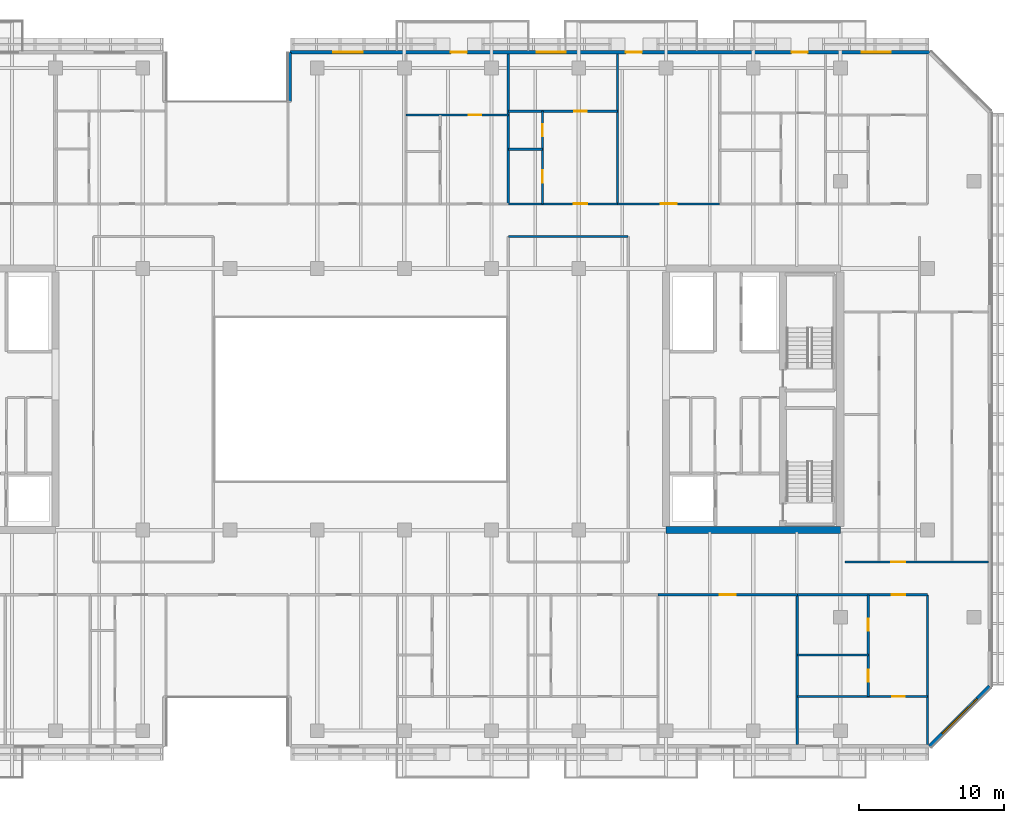
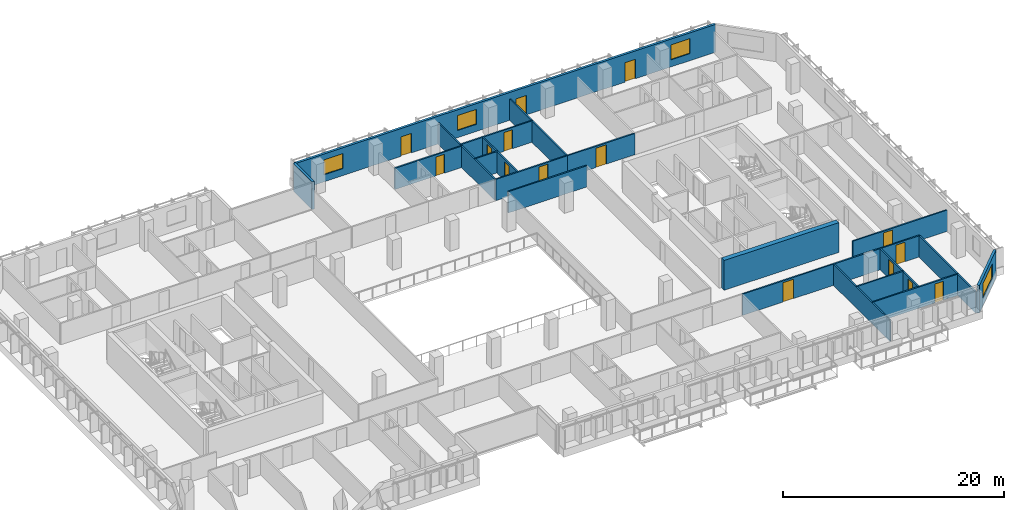
# One storey, part 14 of 23: 21 walls, 15 doors, 4 windows, 19 openings.
"""IFC4 building model written with IfcOpenShell, lengths in metres."""

from ifc_helpers import new_model, si_unit, direction, frame, frame_2d, origin, place, context, subcontext, project, spatial, rectangle, extrude, material, layer, layer_set, type_object, element, fill, save


model = new_model("IFC4")

# Units and contexts
model_context = context("Model", 3, precision=1e-05, world=origin(), true_north=direction((0.0, 1.0)))
body_context = subcontext(model_context, "Body", "Model", "MODEL_VIEW")
ifc_project = project(units=[si_unit("LENGTHUNIT", "METRE"), si_unit("AREAUNIT", "SQUARE_METRE"), si_unit("VOLUMEUNIT", "CUBIC_METRE"), si_unit("PLANEANGLEUNIT", "RADIAN"), si_unit("MASSUNIT", "GRAM", prefix="KILO")], contexts=[model_context])

# Site, building, storey
site_placement = place(None, origin())
site = spatial("IfcSite", under=ifc_project, at=site_placement, CompositionType="ELEMENT")
building_placement = place(site_placement, origin())
building = spatial("IfcBuilding", under=site, at=building_placement, Name="Tanjung Sevakor Pilgrim Tower", CompositionType="ELEMENT")
storey_placement = place(building_placement, frame((0.0, 0.0, 105.27001953125)))
storey = spatial("IfcBuildingStorey", under=building, at=storey_placement, Name="L29", CompositionType="ELEMENT", Elevation=105.27001953125)

# Walls
ifc_material_1 = material(Name="Concrete C60/75", Category="concrete")
ifc_layer_1 = layer(ifc_material_1, 0.5)
ifc_layer_set_1 = layer_set([ifc_layer_1], Name="WALL-CW-500")
wall_type_1 = type_object("IfcWallType", Name="WALL-CW-500", PredefinedType="SHEAR", material=ifc_layer_set_1)
wall_1_placement = place(storey_placement, frame((78.0, 24.60009765625, 0.0), z_axis=(0.0, 0.0, 1.0), x_axis=(1.0, 0.0, 0.0)))
element("IfcWall", 1, at=wall_1_placement, inside=storey, type_object=wall_type_1, Name="L29 E Core South Shear Wall", PredefinedType="SHEAR", context=body_context, shape_type="SweptSolid", body=[
    extrude(rectangle(XDim=12.0, YDim=0.5, at=frame_2d((6.0, 0.0))), origin(), (0.0, 0.0, 1.0), 3.300048828125),
])
ifc_material_2 = material(Name="Concrete C40/50", Category="concrete")
ifc_layer_2 = layer(ifc_material_2, 0.14990234375)
ifc_layer_set_2 = layer_set([ifc_layer_2], Name="WT-COMP-150")
wall_type_2 = type_object("IfcWallType", Name="WT-COMP-150", PredefinedType="SOLIDWALL", material=ifc_layer_set_2)
wall_2_placement = place(storey_placement, frame((67.14990234375, 44.800048828125, 0.0), z_axis=(0.0, 0.0, 1.0), x_axis=(1.0, 0.0, 0.0)))
element("IfcWall", 2, at=wall_2_placement, inside=storey, type_object=wall_type_2, Name="L29 Partition IW-L29-034", PredefinedType="SOLIDWALL", context=body_context, shape_type="SweptSolid", body=[
    extrude(rectangle(XDim=8.25, YDim=0.14990234375, at=frame_2d((4.125, 0.0))), origin(), (0.0, 0.0, 1.0), 2.35009765625),
])

# Wall, opening, door
wall_3_placement = place(storey_placement, frame((90.320068359375, 22.39990234375, 0.0), z_axis=(0.0, 0.0, 1.0), x_axis=(1.0, 0.0, 0.0)))
wall_3 = element("IfcWall", 3, at=wall_3_placement, inside=storey, type_object=wall_type_2, Name="L29 Partition IW-L29-044", PredefinedType="SOLIDWALL", context=body_context, shape_type="SweptSolid", body=[
    extrude(rectangle(XDim=9.869873046875, YDim=0.14990234375, at=frame_2d((4.93505859375, 0.0))), origin(), (0.0, 0.0, 1.0), 2.35009765625),
])
opening_1_placement = place(wall_3_placement, frame((3.193359375, 0.0, 0.0)))
opening_1 = element("IfcOpeningElement", 4, at=opening_1_placement, cuts=wall_3, Name="Opening ID-FD2", PredefinedType="OPENING", context=body_context, shape_type="SweptSolid", body=[
    extrude(rectangle(XDim=0.949951171875, YDim=2.14990234375, at=frame_2d((0.47509765625, 1.074951171875))), frame((0.0, 0.0849609375, 0.0), z_axis=(0.0, -1.0, 0.0), x_axis=(1.0, 0.0, 0.0)), (0.0, 0.0, 1.0), 0.169921875),
])
ifc_material_3 = material(Name="Fire-Rated Timber", Category="wood")
door_type_1 = type_object("IfcDoorType", Name="DT-FIRE-950", OperationType="NOTDEFINED", PredefinedType="DOOR", material=ifc_material_3)
door_1_placement = place(opening_1_placement, origin())
door_1 = element("IfcDoor", 5, at=door_1_placement, inside=storey, type_object=door_type_1, Name="Suite Entrance", OperationType="SINGLE_SWING_RIGHT", OverallHeight=2.14990234375, OverallWidth=0.949951171875, PredefinedType="DOOR", context=body_context, shape_type="SweptSolid", body=[
    extrude(rectangle(XDim=0.949951171875, YDim=2.14990234375, at=frame_2d((0.47509765625, 1.074951171875))), frame((0.0, 0.02490234375, 0.0), z_axis=(0.0, -1.0, 0.0), x_axis=(1.0, 0.0, 0.0)), (0.0, 0.0, 1.0), 0.050048828125),
])
fill(opening_1, door_1)

# Walls
for number, where, z_axis, x_axis, name in (
    (6, (96.0, 9.85009765625, 0.0), (0.0, 0.0, 1.0), (0.0, 1.0, 0.0), "L29 Partition IW-L29-061"),
    (7, (87.03857421875, 9.85009765625, 0.0), (0.0, 0.0, 1.0), (0.0, 1.0, 0.0), "L29 Partition IW-L29-074"),
):
    element("IfcWall", number, at=place(storey_placement, frame(where, z_axis=z_axis, x_axis=x_axis)), inside=storey, type_object=wall_type_2, Name=name, PredefinedType="SOLIDWALL", context=body_context, shape_type="SweptSolid", body=[
        extrude(rectangle(XDim=10.2998046875, YDim=0.14990234375, at=frame_2d((5.14990234375, 0.0))), origin(), (0.0, 0.0, 1.0), 2.35009765625),
    ])

# Wall, opening, door
wall_4_placement = place(storey_placement, frame((77.458984375, 20.14990234375, 0.0), z_axis=(0.0, 0.0, 1.0), x_axis=(1.0, 0.0, 0.0)))
wall_4 = element("IfcWall", 8, at=wall_4_placement, inside=storey, type_object=wall_type_2, Name="L29 Partition IW-L29-075", PredefinedType="SOLIDWALL", context=body_context, shape_type="SweptSolid", body=[
    extrude(rectangle(XDim=9.57958984375, YDim=0.14990234375, at=frame_2d((4.789794921875, 0.0))), origin(), (0.0, 0.0, 1.0), 2.35009765625),
])
opening_2_placement = place(wall_4_placement, frame((4.23974609375, 0.0, 0.0)))
opening_2 = element("IfcOpeningElement", 9, at=opening_2_placement, cuts=wall_4, Name="Opening ID-FD0", PredefinedType="OPENING", context=body_context, shape_type="SweptSolid", body=[
    extrude(rectangle(XDim=1.10009765625, YDim=2.14990234375, at=frame_2d((0.550048828125, 1.074951171875))), frame((0.0, 0.0849609375, 0.0), z_axis=(0.0, -1.0, 0.0), x_axis=(1.0, 0.0, 0.0)), (0.0, 0.0, 1.0), 0.169921875),
])
ifc_material_4 = material(Name="Fire-Rated Steel S355J2", Category="steel")
door_type_2 = type_object("IfcDoorType", Name="DT-FIRE-1100", OperationType="NOTDEFINED", PredefinedType="DOOR", material=ifc_material_4)
door_2_placement = place(opening_2_placement, origin())
door_2 = element("IfcDoor", 10, at=door_2_placement, inside=storey, type_object=door_type_2, Name="Council Room Door", OperationType="SINGLE_SWING_RIGHT", OverallHeight=2.14990234375, OverallWidth=1.10009765625, PredefinedType="DOOR", context=body_context, shape_type="SweptSolid", body=[
    extrude(rectangle(XDim=1.10009765625, YDim=2.14990234375, at=frame_2d((0.550048828125, 1.074951171875))), frame((0.0, 0.02490234375, 0.0), z_axis=(0.0, -1.0, 0.0), x_axis=(1.0, 0.0, 0.0)), (0.0, 0.0, 1.0), 0.050048828125),
])
fill(opening_2, door_2)

wall_5_placement = place(storey_placement, frame((87.03857421875, 20.14990234375, 0.0), z_axis=(0.0, 0.0, 1.0), x_axis=(1.0, 0.0, 0.0)))
wall_5 = element("IfcWall", 11, at=wall_5_placement, inside=storey, type_object=wall_type_2, Name="L29 Partition IW-L29-079", PredefinedType="SOLIDWALL", context=body_context, shape_type="SweptSolid", body=[
    extrude(rectangle(XDim=8.96142578125, YDim=0.14990234375, at=frame_2d((4.480712890625, 0.0))), origin(), (0.0, 0.0, 1.0), 2.35009765625),
])
opening_3_placement = place(wall_5_placement, frame((6.486572265625, 0.0, 0.0)))
opening_3 = element("IfcOpeningElement", 12, at=opening_3_placement, cuts=wall_5, Name="Opening ID-FD2", PredefinedType="OPENING", context=body_context, shape_type="SweptSolid", body=[
    extrude(rectangle(XDim=0.949951171875, YDim=2.14990234375, at=frame_2d((0.47509765625, 1.074951171875))), frame((0.0, 0.0849609375, 0.0), z_axis=(0.0, -1.0, 0.0), x_axis=(1.0, 0.0, 0.0)), (0.0, 0.0, 1.0), 0.169921875),
])
door_3_placement = place(opening_3_placement, origin())
door_3 = element("IfcDoor", 13, at=door_3_placement, inside=storey, type_object=door_type_1, Name="Residence Entrance", OperationType="SINGLE_SWING_RIGHT", OverallHeight=2.14990234375, OverallWidth=0.949951171875, PredefinedType="DOOR", context=body_context, shape_type="SweptSolid", body=[
    extrude(rectangle(XDim=0.949951171875, YDim=2.14990234375, at=frame_2d((0.47509765625, 1.074951171875))), frame((0.0, 0.02490234375, 0.0), z_axis=(0.0, -1.0, 0.0), x_axis=(1.0, 0.0, 0.0)), (0.0, 0.0, 1.0), 0.050048828125),
])
fill(opening_3, door_3)

# Walls
for number, where, z_axis, x_axis, name in (
    (14, (67.150634765625, 47.050048828125, 0.0), (0.0, 0.0, 1.0), (0.0, 1.0, 0.0), "L29 Partition IW-L29-095"),
    (15, (74.666015625, 47.050048828125, 0.0), (0.0, 0.0, 1.0), (0.0, 1.0, 0.0), "L29 Partition IW-L29-100"),
):
    element("IfcWall", number, at=place(storey_placement, frame(where, z_axis=z_axis, x_axis=x_axis)), inside=storey, type_object=wall_type_2, Name=name, PredefinedType="SOLIDWALL", context=body_context, shape_type="SweptSolid", body=[
        extrude(rectangle(XDim=10.300048828125, YDim=0.14990234375, at=frame_2d((5.14990234375, 0.0))), origin(), (0.0, 0.0, 1.0), 2.35009765625),
    ])

# Wall, opening, door
wall_6_placement = place(storey_placement, frame((67.150634765625, 47.050048828125, 0.0), z_axis=(0.0, 0.0, 1.0), x_axis=(1.0, 0.0, 0.0)))
wall_6 = element("IfcWall", 16, at=wall_6_placement, inside=storey, type_object=wall_type_2, Name="L29 Partition IW-L29-104", PredefinedType="SOLIDWALL", context=body_context, shape_type="SweptSolid", body=[
    extrude(rectangle(XDim=7.515380859375, YDim=0.14990234375, at=frame_2d((3.7578125, 0.0))), origin(), (0.0, 0.0, 1.0), 2.35009765625),
])
opening_4_placement = place(wall_6_placement, frame((4.497802734375, 0.0, 0.0)))
opening_4 = element("IfcOpeningElement", 17, at=opening_4_placement, cuts=wall_6, Name="Opening ID-FD2", PredefinedType="OPENING", context=body_context, shape_type="SweptSolid", body=[
    extrude(rectangle(XDim=0.949951171875, YDim=2.14990234375, at=frame_2d((0.47509765625, 1.074951171875))), frame((0.0, 0.0849609375, 0.0), z_axis=(0.0, -1.0, 0.0), x_axis=(1.0, 0.0, 0.0)), (0.0, 0.0, 1.0), 0.169921875),
])
door_4_placement = place(opening_4_placement, origin())
door_4 = element("IfcDoor", 18, at=door_4_placement, inside=storey, type_object=door_type_1, Name="Residence Entrance", OperationType="SINGLE_SWING_RIGHT", OverallHeight=2.14990234375, OverallWidth=0.949951171875, PredefinedType="DOOR", context=body_context, shape_type="SweptSolid", body=[
    extrude(rectangle(XDim=0.949951171875, YDim=2.14990234375, at=frame_2d((0.47509765625, 1.074951171875))), frame((0.0, 0.02490234375, 0.0), z_axis=(0.0, -1.0, 0.0), x_axis=(1.0, 0.0, 0.0)), (0.0, 0.0, 1.0), 0.050048828125),
])
fill(opening_4, door_4)

wall_7_placement = place(storey_placement, frame((74.666015625, 47.050048828125, 0.0), z_axis=(0.0, 0.0, 1.0), x_axis=(1.0, 0.0, 0.0)))
wall_7 = element("IfcWall", 19, at=wall_7_placement, inside=storey, type_object=wall_type_2, Name="L29 Partition IW-L29-106", PredefinedType="SOLIDWALL", context=body_context, shape_type="SweptSolid", body=[
    extrude(rectangle(XDim=7.030517578125, YDim=0.14990234375, at=frame_2d((3.51513671875, 0.0))), origin(), (0.0, 0.0, 1.0), 2.35009765625),
])
opening_5_placement = place(wall_7_placement, frame((2.96533203125, 0.0, 0.0)))
opening_5 = element("IfcOpeningElement", 20, at=opening_5_placement, cuts=wall_7, Name="Opening ID-FD0", PredefinedType="OPENING", context=body_context, shape_type="SweptSolid", body=[
    extrude(rectangle(XDim=1.10009765625, YDim=2.14990234375, at=frame_2d((0.550048828125, 1.074951171875))), frame((0.0, 0.0849609375, 0.0), z_axis=(0.0, -1.0, 0.0), x_axis=(1.0, 0.0, 0.0)), (0.0, 0.0, 1.0), 0.169921875),
])
door_5_placement = place(opening_5_placement, origin())
door_5 = element("IfcDoor", 21, at=door_5_placement, inside=storey, type_object=door_type_2, Name="Communal Lounge Door", OperationType="SINGLE_SWING_LEFT", OverallHeight=2.14990234375, OverallWidth=1.10009765625, PredefinedType="DOOR", context=body_context, shape_type="SweptSolid", body=[
    extrude(rectangle(XDim=1.10009765625, YDim=2.14990234375, at=frame_2d((0.550048828125, 1.074951171875))), frame((0.0, 0.02490234375, 0.0), z_axis=(0.0, -1.0, 0.0), x_axis=(1.0, 0.0, 0.0)), (0.0, 0.0, 1.0), 0.050048828125),
])
fill(opening_5, door_5)

# Wall, opening, window
ifc_material_5 = material(Name="Precast concrete C45/55", Category="concrete")
ifc_layer_3 = layer(ifc_material_5, 0.25)
ifc_layer_set_3 = layer_set([ifc_layer_3], Name="WT-EW-STN3")
wall_type_3 = type_object("IfcWallType", Name="WT-EW-STN3", PredefinedType="SOLIDWALL", material=ifc_layer_set_3)
wall_8_placement = place(storey_placement, frame((96.148193359375, 9.72509765625, 0.0), z_axis=(0.0, 0.0, 1.0), x_axis=(0.707106781187, 0.707106781187, 0.0)))
wall_8 = element("IfcWall", 22, at=wall_8_placement, inside=storey, type_object=wall_type_3, Name="L29 MAIN Sculpted Corner Wall 5", PredefinedType="SOLIDWALL", context=body_context, shape_type="SweptSolid", body=[
    extrude(rectangle(XDim=5.8359375, YDim=0.25, at=frame_2d((2.91796875, 0.0))), origin(), (0.0, 0.0, 1.0), 3.080078125),
])
opening_6_placement = place(wall_8_placement, frame((1.218017578125, 0.0, 0.780029296875)))
opening_6 = element("IfcOpeningElement", 23, at=opening_6_placement, cuts=wall_8, Name="Opening WN-CHM-1660", PredefinedType="OPENING", context=body_context, shape_type="SweptSolid", body=[
    extrude(rectangle(XDim=3.39990234375, YDim=1.659912109375, at=frame_2d((1.699951171875, 0.830078125))), frame((0.0, 0.135009765625, 0.0), z_axis=(0.0, -1.0, 0.0), x_axis=(1.0, 0.0, 0.0)), (0.0, 0.0, 1.0), 0.27001953125),
])
ifc_material_6 = material(Name="Thermally Broken Aluminium and Low-E Glass", Category="aluminium")
window_type_1 = type_object("IfcWindowType", Name="WTYP-WN-CHM-1660", PartitioningType="DOUBLE_PANEL_VERTICAL", PredefinedType="WINDOW", material=ifc_material_6)
window_1_placement = place(opening_6_placement, origin())
window_1 = element("IfcWindow", 24, at=window_1_placement, inside=storey, type_object=window_type_1, Name="L29 Facade Window 01", OverallHeight=1.659912109375, OverallWidth=3.39990234375, PartitioningType="SINGLE_PANEL", PredefinedType="WINDOW", context=body_context, shape_type="SweptSolid", body=[
    extrude(rectangle(XDim=3.39990234375, YDim=1.659912109375, at=frame_2d((1.699951171875, 0.830078125))), frame((0.0, 0.030029296875, 0.0), z_axis=(0.0, -1.0, 0.0), x_axis=(1.0, 0.0, 0.0)), (0.0, 0.0, 1.0), 0.06005859375),
])
fill(opening_6, window_1)

# Wall, openings, doors, windows
wall_9_placement = place(storey_placement, frame((96.148193359375, 57.47509765625, 0.0), z_axis=(0.0, 0.0, 1.0), x_axis=(-1.0, 0.0, 0.0)))
wall_9 = element("IfcWall", 25, at=wall_9_placement, inside=storey, type_object=wall_type_3, Name="L29 MAIN Exterior Wall 9", PredefinedType="SOLIDWALL", context=body_context, shape_type="SweptSolid", body=[
    extrude(rectangle(XDim=44.023193359375, YDim=0.25, at=frame_2d((22.01171875, 0.0))), origin(), (0.0, 0.0, 1.0), 3.080078125),
])
opening_7_placement = place(wall_9_placement, frame((31.84814453125, 0.0, 0.0)))
opening_7 = element("IfcOpeningElement", 26, at=opening_7_placement, cuts=wall_9, Name="Opening ED-BAL-1100", PredefinedType="OPENING", context=body_context, shape_type="SweptSolid", body=[
    extrude(rectangle(XDim=1.10009765625, YDim=2.14990234375, at=frame_2d((0.550048828125, 1.074951171875))), frame((0.0, 0.135009765625, 0.0), z_axis=(0.0, -1.0, 0.0), x_axis=(1.0, 0.0, 0.0)), (0.0, 0.0, 1.0), 0.27001953125),
])
opening_8_placement = place(wall_9_placement, frame((19.798095703125, 0.0, 0.0)))
opening_8 = element("IfcOpeningElement", 27, at=opening_8_placement, cuts=wall_9, Name="Opening ED-BAL-1100", PredefinedType="OPENING", context=body_context, shape_type="SweptSolid", body=[
    extrude(rectangle(XDim=1.10009765625, YDim=2.14990234375, at=frame_2d((0.550048828125, 1.074951171875))), frame((0.0, 0.135009765625, 0.0), z_axis=(0.0, -1.0, 0.0), x_axis=(1.0, 0.0, 0.0)), (0.0, 0.0, 1.0), 0.27001953125),
])
opening_9_placement = place(wall_9_placement, frame((8.398193359375, 0.0, 0.0)))
opening_9 = element("IfcOpeningElement", 28, at=opening_9_placement, cuts=wall_9, Name="Opening ED-BAL-1100", PredefinedType="OPENING", context=body_context, shape_type="SweptSolid", body=[
    extrude(rectangle(XDim=1.10009765625, YDim=2.14990234375, at=frame_2d((0.550048828125, 1.074951171875))), frame((0.0, 0.135009765625, 0.0), z_axis=(0.0, -1.0, 0.0), x_axis=(1.0, 0.0, 0.0)), (0.0, 0.0, 1.0), 0.27001953125),
])
opening_10_placement = place(wall_9_placement, frame((39.028076171875, 0.0, 0.780029296875)))
opening_10 = element("IfcOpeningElement", 29, at=opening_10_placement, cuts=wall_9, Name="Opening WN-Z2-1660", PredefinedType="OPENING", context=body_context, shape_type="SweptSolid", body=[
    extrude(rectangle(XDim=2.0, YDim=1.659912109375, at=frame_2d((1.0, 0.830078125))), frame((0.0, 0.135009765625, 0.0), z_axis=(0.0, -1.0, 0.0), x_axis=(1.0, 0.0, 0.0)), (0.0, 0.0, 1.0), 0.27001953125),
])
opening_11_placement = place(wall_9_placement, frame((25.039794921875, 0.0, 0.780029296875)))
opening_11 = element("IfcOpeningElement", 30, at=opening_11_placement, cuts=wall_9, Name="Opening WN-Z2-1660", PredefinedType="OPENING", context=body_context, shape_type="SweptSolid", body=[
    extrude(rectangle(XDim=2.0, YDim=1.659912109375, at=frame_2d((1.0, 0.830078125))), frame((0.0, 0.135009765625, 0.0), z_axis=(0.0, -1.0, 0.0), x_axis=(1.0, 0.0, 0.0)), (0.0, 0.0, 1.0), 0.27001953125),
])
opening_12_placement = place(wall_9_placement, frame((2.66357421875, 0.0, 0.780029296875)))
opening_12 = element("IfcOpeningElement", 31, at=opening_12_placement, cuts=wall_9, Name="Opening WN-Z2-1660", PredefinedType="OPENING", context=body_context, shape_type="SweptSolid", body=[
    extrude(rectangle(XDim=2.0, YDim=1.659912109375, at=frame_2d((1.0, 0.830078125))), frame((0.0, 0.135009765625, 0.0), z_axis=(0.0, -1.0, 0.0), x_axis=(1.0, 0.0, 0.0)), (0.0, 0.0, 1.0), 0.27001953125),
])
ifc_material_7 = material(Name="Anodised Aluminium and Laminated Glass", Category="aluminium")
door_type_3 = type_object("IfcDoorType", Name="DTYP-ED-BAL-1100", OperationType="NOTDEFINED", PredefinedType="DOOR", material=ifc_material_7)
door_6_placement = place(opening_7_placement, frame((1.10009765625, 0.0, 0.0), z_axis=(0.0, 0.0, 1.0), x_axis=(-1.0, 0.0, 0.0)))
door_6 = element("IfcDoor", 32, at=door_6_placement, inside=storey, type_object=door_type_3, Name="L29 Balcony Door MAIN-N2", OperationType="SINGLE_SWING_RIGHT", OverallHeight=2.14990234375, OverallWidth=1.10009765625, PredefinedType="DOOR", context=body_context, shape_type="SweptSolid", body=[
    extrude(rectangle(XDim=1.10009765625, YDim=2.14990234375, at=frame_2d((0.550048828125, 1.074951171875))), frame((0.0, 0.02490234375, 0.0), z_axis=(0.0, -1.0, 0.0), x_axis=(1.0, 0.0, 0.0)), (0.0, 0.0, 1.0), 0.050048828125),
])
fill(opening_7, door_6)
door_7_placement = place(opening_8_placement, frame((1.10009765625, 0.0, 0.0), z_axis=(0.0, 0.0, 1.0), x_axis=(-1.0, 0.0, 0.0)))
door_7 = element("IfcDoor", 33, at=door_7_placement, inside=storey, type_object=door_type_3, Name="L29 Balcony Door MAIN-N3", OperationType="SINGLE_SWING_LEFT", OverallHeight=2.14990234375, OverallWidth=1.10009765625, PredefinedType="DOOR", context=body_context, shape_type="SweptSolid", body=[
    extrude(rectangle(XDim=1.10009765625, YDim=2.14990234375, at=frame_2d((0.550048828125, 1.074951171875))), frame((0.0, 0.02490234375, 0.0), z_axis=(0.0, -1.0, 0.0), x_axis=(1.0, 0.0, 0.0)), (0.0, 0.0, 1.0), 0.050048828125),
])
fill(opening_8, door_7)
door_8_placement = place(opening_9_placement, frame((1.10009765625, 0.0, 0.0), z_axis=(0.0, 0.0, 1.0), x_axis=(-1.0, 0.0, 0.0)))
door_8 = element("IfcDoor", 34, at=door_8_placement, inside=storey, type_object=door_type_3, Name="L29 Balcony Door MAIN-N4", OperationType="SINGLE_SWING_RIGHT", OverallHeight=2.14990234375, OverallWidth=1.10009765625, PredefinedType="DOOR", context=body_context, shape_type="SweptSolid", body=[
    extrude(rectangle(XDim=1.10009765625, YDim=2.14990234375, at=frame_2d((0.550048828125, 1.074951171875))), frame((0.0, 0.02490234375, 0.0), z_axis=(0.0, -1.0, 0.0), x_axis=(1.0, 0.0, 0.0)), (0.0, 0.0, 1.0), 0.050048828125),
])
fill(opening_9, door_8)
ifc_material_8 = material(Name="Thermally Broken Aluminium and Low-E Glass", Category="aluminium")
window_type_2 = type_object("IfcWindowType", Name="WTYP-WN-Z2-1660", PartitioningType="DOUBLE_PANEL_VERTICAL", PredefinedType="WINDOW", material=ifc_material_8)
window_2_placement = place(opening_10_placement, origin())
window_2 = element("IfcWindow", 35, at=window_2_placement, inside=storey, type_object=window_type_2, Name="L29 Facade Window 01", OverallHeight=1.659912109375, OverallWidth=2.0, PartitioningType="SINGLE_PANEL", PredefinedType="WINDOW", context=body_context, shape_type="SweptSolid", body=[
    extrude(rectangle(XDim=2.0, YDim=1.659912109375, at=frame_2d((1.0, 0.830078125))), frame((0.0, 0.030029296875, 0.0), z_axis=(0.0, -1.0, 0.0), x_axis=(1.0, 0.0, 0.0)), (0.0, 0.0, 1.0), 0.06005859375),
])
fill(opening_10, window_2)
window_3_placement = place(opening_11_placement, origin())
window_3 = element("IfcWindow", 36, at=window_3_placement, inside=storey, type_object=window_type_2, Name="L29 Facade Window 02", OverallHeight=1.659912109375, OverallWidth=2.0, PartitioningType="SINGLE_PANEL", PredefinedType="WINDOW", context=body_context, shape_type="SweptSolid", body=[
    extrude(rectangle(XDim=2.0, YDim=1.659912109375, at=frame_2d((1.0, 0.830078125))), frame((0.0, 0.030029296875, 0.0), z_axis=(0.0, -1.0, 0.0), x_axis=(1.0, 0.0, 0.0)), (0.0, 0.0, 1.0), 0.06005859375),
])
fill(opening_11, window_3)
window_4_placement = place(opening_12_placement, origin())
window_4 = element("IfcWindow", 37, at=window_4_placement, inside=storey, type_object=window_type_2, Name="L29 Facade Window 03", OverallHeight=1.659912109375, OverallWidth=2.0, PartitioningType="SINGLE_PANEL", PredefinedType="WINDOW", context=body_context, shape_type="SweptSolid", body=[
    extrude(rectangle(XDim=2.0, YDim=1.659912109375, at=frame_2d((1.0, 0.830078125))), frame((0.0, 0.030029296875, 0.0), z_axis=(0.0, -1.0, 0.0), x_axis=(1.0, 0.0, 0.0)), (0.0, 0.0, 1.0), 0.06005859375),
])
fill(opening_12, window_4)

# Walls
wall_10_placement = place(storey_placement, frame((52.125, 57.47509765625, 0.0), z_axis=(0.0, 0.0, 1.0), x_axis=(0.0, -1.0, 0.0)))
element("IfcWall", 38, at=wall_10_placement, inside=storey, type_object=wall_type_3, Name="L29 MAIN Exterior Wall 10", PredefinedType="SOLIDWALL", context=body_context, shape_type="SweptSolid", body=[
    extrude(rectangle(XDim=3.400146484375, YDim=0.25, at=frame_2d((1.7001953125, 0.0))), origin(), (0.0, 0.0, 1.0), 3.080078125),
])
ifc_material_9 = material(Name="Gypsum Board Partition", Category="gypsum board")
ifc_layer_4 = layer(ifc_material_9, 0.14990234375)
ifc_layer_set_4 = layer_set([ifc_layer_4], Name="WT-PART-150")
wall_type_4 = type_object("IfcWallType", Name="WT-PART-150", PredefinedType="PARTITIONING", material=ifc_layer_set_4)
wall_11_placement = place(storey_placement, frame((87.03857421875, 16.01513671875, 0.0), z_axis=(0.0, 0.0, 1.0), x_axis=(1.0, 0.0, 0.0)))
element("IfcWall", 39, at=wall_11_placement, inside=storey, type_object=wall_type_4, Name="L29 Partition IW-L29-076", PredefinedType="PARTITIONING", context=body_context, shape_type="SweptSolid", body=[
    extrude(rectangle(XDim=4.88134765625, YDim=0.14990234375, at=frame_2d((2.440673828125, 0.0))), origin(), (0.0, 0.0, 1.0), 2.35009765625),
])

# Wall, openings, doors
wall_12_placement = place(storey_placement, frame((91.919921875, 13.141845703125, 0.0), z_axis=(0.0, 0.0, 1.0), x_axis=(0.0, 1.0, 0.0)))
wall_12 = element("IfcWall", 40, at=wall_12_placement, inside=storey, type_object=wall_type_4, Name="L29 Partition IW-L29-077", PredefinedType="PARTITIONING", context=body_context, shape_type="SweptSolid", body=[
    extrude(rectangle(XDim=7.008056640625, YDim=0.14990234375, at=frame_2d((3.50390625, 0.0))), origin(), (0.0, 0.0, 1.0), 2.35009765625),
])
opening_13_placement = place(wall_12_placement, frame((1.01171875, 0.0, 0.0)))
opening_13 = element("IfcOpeningElement", 41, at=opening_13_placement, cuts=wall_12, Name="Opening ID-WC1", PredefinedType="OPENING", context=body_context, shape_type="SweptSolid", body=[
    extrude(rectangle(XDim=0.85009765625, YDim=2.10009765625, at=frame_2d((0.425048828125, 1.050048828125))), frame((0.0, 0.0849609375, 0.0), z_axis=(0.0, -1.0, 0.0), x_axis=(1.0, 0.0, 0.0)), (0.0, 0.0, 1.0), 0.169921875),
])
opening_14_placement = place(wall_12_placement, frame((4.515625, 0.0, 0.0)))
opening_14 = element("IfcOpeningElement", 42, at=opening_14_placement, cuts=wall_12, Name="Opening ID-WC1", PredefinedType="OPENING", context=body_context, shape_type="SweptSolid", body=[
    extrude(rectangle(XDim=0.85009765625, YDim=2.10009765625, at=frame_2d((0.425048828125, 1.050048828125))), frame((0.0, 0.0849609375, 0.0), z_axis=(0.0, -1.0, 0.0), x_axis=(1.0, 0.0, 0.0)), (0.0, 0.0, 1.0), 0.169921875),
])
ifc_material_10 = material(Name="Moisture-Resistant Timber", Category="wood")
door_type_4 = type_object("IfcDoorType", Name="DT-INT-850", OperationType="NOTDEFINED", PredefinedType="DOOR", material=ifc_material_10)
door_9_placement = place(opening_13_placement, origin())
door_9 = element("IfcDoor", 43, at=door_9_placement, inside=storey, type_object=door_type_4, Name="Residence Bathroom Door", OperationType="SINGLE_SWING_LEFT", OverallHeight=2.10009765625, OverallWidth=0.85009765625, PredefinedType="DOOR", context=body_context, shape_type="SweptSolid", body=[
    extrude(rectangle(XDim=0.85009765625, YDim=2.10009765625, at=frame_2d((0.425048828125, 1.050048828125))), frame((0.0, 0.02490234375, 0.0), z_axis=(0.0, -1.0, 0.0), x_axis=(1.0, 0.0, 0.0)), (0.0, 0.0, 1.0), 0.050048828125),
])
fill(opening_13, door_9)
door_10_placement = place(opening_14_placement, origin())
door_10 = element("IfcDoor", 44, at=door_10_placement, inside=storey, type_object=door_type_4, Name="Residence Kitchenette Door", OperationType="SINGLE_SWING_RIGHT", OverallHeight=2.10009765625, OverallWidth=0.85009765625, PredefinedType="DOOR", context=body_context, shape_type="SweptSolid", body=[
    extrude(rectangle(XDim=0.85009765625, YDim=2.10009765625, at=frame_2d((0.425048828125, 1.050048828125))), frame((0.0, 0.02490234375, 0.0), z_axis=(0.0, -1.0, 0.0), x_axis=(1.0, 0.0, 0.0)), (0.0, 0.0, 1.0), 0.050048828125),
])
fill(opening_14, door_10)

# Wall, opening, door
wall_13_placement = place(storey_placement, frame((87.03857421875, 13.141845703125, 0.0), z_axis=(0.0, 0.0, 1.0), x_axis=(1.0, 0.0, 0.0)))
wall_13 = element("IfcWall", 45, at=wall_13_placement, inside=storey, type_object=wall_type_4, Name="L29 Partition IW-L29-078", PredefinedType="PARTITIONING", context=body_context, shape_type="SweptSolid", body=[
    extrude(rectangle(XDim=8.96142578125, YDim=0.14990234375, at=frame_2d((4.480712890625, 0.0))), origin(), (0.0, 0.0, 1.0), 2.35009765625),
])
opening_15_placement = place(wall_13_placement, frame((6.53662109375, 0.0, 0.0)))
opening_15 = element("IfcOpeningElement", 46, at=opening_15_placement, cuts=wall_13, Name="Opening ID-WC1", PredefinedType="OPENING", context=body_context, shape_type="SweptSolid", body=[
    extrude(rectangle(XDim=0.85009765625, YDim=2.10009765625, at=frame_2d((0.425048828125, 1.050048828125))), frame((0.0, 0.0849609375, 0.0), z_axis=(0.0, -1.0, 0.0), x_axis=(1.0, 0.0, 0.0)), (0.0, 0.0, 1.0), 0.169921875),
])
door_11_placement = place(opening_15_placement, origin())
door_11 = element("IfcDoor", 47, at=door_11_placement, inside=storey, type_object=door_type_4, Name="Residence Bedroom Door", OperationType="SINGLE_SWING_LEFT", OverallHeight=2.10009765625, OverallWidth=0.85009765625, PredefinedType="DOOR", context=body_context, shape_type="SweptSolid", body=[
    extrude(rectangle(XDim=0.85009765625, YDim=2.10009765625, at=frame_2d((0.425048828125, 1.050048828125))), frame((0.0, 0.02490234375, 0.0), z_axis=(0.0, -1.0, 0.0), x_axis=(1.0, 0.0, 0.0)), (0.0, 0.0, 1.0), 0.050048828125),
])
fill(opening_15, door_11)

wall_14_placement = place(storey_placement, frame((60.1201171875, 53.154052734375, 0.0), z_axis=(0.0, 0.0, 1.0), x_axis=(1.0, 0.0, 0.0)))
wall_14 = element("IfcWall", 48, at=wall_14_placement, inside=storey, type_object=wall_type_4, Name="L29 Partition IW-L29-098", PredefinedType="PARTITIONING", context=body_context, shape_type="SweptSolid", body=[
    extrude(rectangle(XDim=7.030517578125, YDim=0.14990234375, at=frame_2d((3.51513671875, 0.0))), origin(), (0.0, 0.0, 1.0), 2.35009765625),
])
opening_16_placement = place(wall_14_placement, frame((4.305419921875, 0.0, 0.0)))
opening_16 = element("IfcOpeningElement", 49, at=opening_16_placement, cuts=wall_14, Name="Opening ID-WC1", PredefinedType="OPENING", context=body_context, shape_type="SweptSolid", body=[
    extrude(rectangle(XDim=0.85009765625, YDim=2.10009765625, at=frame_2d((0.425048828125, 1.050048828125))), frame((0.0, 0.0849609375, 0.0), z_axis=(0.0, -1.0, 0.0), x_axis=(1.0, 0.0, 0.0)), (0.0, 0.0, 1.0), 0.169921875),
])
door_12_placement = place(opening_16_placement, origin())
door_12 = element("IfcDoor", 50, at=door_12_placement, inside=storey, type_object=door_type_4, Name="Residence Bedroom Door", OperationType="SINGLE_SWING_LEFT", OverallHeight=2.10009765625, OverallWidth=0.85009765625, PredefinedType="DOOR", context=body_context, shape_type="SweptSolid", body=[
    extrude(rectangle(XDim=0.85009765625, YDim=2.10009765625, at=frame_2d((0.425048828125, 1.050048828125))), frame((0.0, 0.02490234375, 0.0), z_axis=(0.0, -1.0, 0.0), x_axis=(1.0, 0.0, 0.0)), (0.0, 0.0, 1.0), 0.050048828125),
])
fill(opening_16, door_12)

# Wall
wall_15_placement = place(storey_placement, frame((67.150634765625, 50.81103515625, 0.0), z_axis=(0.0, 0.0, 1.0), x_axis=(1.0, 0.0, 0.0)))
element("IfcWall", 51, at=wall_15_placement, inside=storey, type_object=wall_type_4, Name="L29 Partition IW-L29-101", PredefinedType="PARTITIONING", context=body_context, shape_type="SweptSolid", body=[
    extrude(rectangle(XDim=2.35009765625, YDim=0.14990234375, at=frame_2d((1.175048828125, 0.0))), origin(), (0.0, 0.0, 1.0), 2.35009765625),
])

# Wall, openings, doors
wall_16_placement = place(storey_placement, frame((69.500732421875, 47.050048828125, 0.0), z_axis=(0.0, 0.0, 1.0), x_axis=(0.0, 1.0, 0.0)))
wall_16 = element("IfcWall", 52, at=wall_16_placement, inside=storey, type_object=wall_type_4, Name="L29 Partition IW-L29-102", PredefinedType="PARTITIONING", context=body_context, shape_type="SweptSolid", body=[
    extrude(rectangle(XDim=6.374755859375, YDim=0.14990234375, at=frame_2d((3.1875, 0.0))), origin(), (0.0, 0.0, 1.0), 2.35009765625),
])
opening_17_placement = place(wall_16_placement, frame((1.45556640625, 0.0, 0.0)))
opening_17 = element("IfcOpeningElement", 53, at=opening_17_placement, cuts=wall_16, Name="Opening ID-WC1", PredefinedType="OPENING", context=body_context, shape_type="SweptSolid", body=[
    extrude(rectangle(XDim=0.85009765625, YDim=2.10009765625, at=frame_2d((0.425048828125, 1.050048828125))), frame((0.0, 0.0849609375, 0.0), z_axis=(0.0, -1.0, 0.0), x_axis=(1.0, 0.0, 0.0)), (0.0, 0.0, 1.0), 0.169921875),
])
opening_18_placement = place(wall_16_placement, frame((4.642822265625, 0.0, 0.0)))
opening_18 = element("IfcOpeningElement", 54, at=opening_18_placement, cuts=wall_16, Name="Opening ID-WC1", PredefinedType="OPENING", context=body_context, shape_type="SweptSolid", body=[
    extrude(rectangle(XDim=0.85009765625, YDim=2.10009765625, at=frame_2d((0.425048828125, 1.050048828125))), frame((0.0, 0.0849609375, 0.0), z_axis=(0.0, -1.0, 0.0), x_axis=(1.0, 0.0, 0.0)), (0.0, 0.0, 1.0), 0.169921875),
])
door_13_placement = place(opening_17_placement, origin())
door_13 = element("IfcDoor", 55, at=door_13_placement, inside=storey, type_object=door_type_4, Name="Residence Kitchenette Door", OperationType="SINGLE_SWING_LEFT", OverallHeight=2.10009765625, OverallWidth=0.85009765625, PredefinedType="DOOR", context=body_context, shape_type="SweptSolid", body=[
    extrude(rectangle(XDim=0.85009765625, YDim=2.10009765625, at=frame_2d((0.425048828125, 1.050048828125))), frame((0.0, 0.02490234375, 0.0), z_axis=(0.0, -1.0, 0.0), x_axis=(1.0, 0.0, 0.0)), (0.0, 0.0, 1.0), 0.050048828125),
])
fill(opening_17, door_13)
door_14_placement = place(opening_18_placement, origin())
door_14 = element("IfcDoor", 56, at=door_14_placement, inside=storey, type_object=door_type_4, Name="Residence Bathroom Door", OperationType="SINGLE_SWING_RIGHT", OverallHeight=2.10009765625, OverallWidth=0.85009765625, PredefinedType="DOOR", context=body_context, shape_type="SweptSolid", body=[
    extrude(rectangle(XDim=0.85009765625, YDim=2.10009765625, at=frame_2d((0.425048828125, 1.050048828125))), frame((0.0, 0.02490234375, 0.0), z_axis=(0.0, -1.0, 0.0), x_axis=(1.0, 0.0, 0.0)), (0.0, 0.0, 1.0), 0.050048828125),
])
fill(opening_18, door_14)

# Wall, opening, door
wall_17_placement = place(storey_placement, frame((67.150634765625, 53.4248046875, 0.0), z_axis=(0.0, 0.0, 1.0), x_axis=(1.0, 0.0, 0.0)))
wall_17 = element("IfcWall", 57, at=wall_17_placement, inside=storey, type_object=wall_type_4, Name="L29 Partition IW-L29-103", PredefinedType="PARTITIONING", context=body_context, shape_type="SweptSolid", body=[
    extrude(rectangle(XDim=7.515380859375, YDim=0.14990234375, at=frame_2d((3.7578125, 0.0))), origin(), (0.0, 0.0, 1.0), 2.35009765625),
])
opening_19_placement = place(wall_17_placement, frame((4.547607421875, 0.0, 0.0)))
opening_19 = element("IfcOpeningElement", 58, at=opening_19_placement, cuts=wall_17, Name="Opening ID-WC1", PredefinedType="OPENING", context=body_context, shape_type="SweptSolid", body=[
    extrude(rectangle(XDim=0.85009765625, YDim=2.10009765625, at=frame_2d((0.425048828125, 1.050048828125))), frame((0.0, 0.0849609375, 0.0), z_axis=(0.0, -1.0, 0.0), x_axis=(1.0, 0.0, 0.0)), (0.0, 0.0, 1.0), 0.169921875),
])
door_15_placement = place(opening_19_placement, origin())
door_15 = element("IfcDoor", 59, at=door_15_placement, inside=storey, type_object=door_type_4, Name="Residence Bedroom Door", OperationType="SINGLE_SWING_LEFT", OverallHeight=2.10009765625, OverallWidth=0.85009765625, PredefinedType="DOOR", context=body_context, shape_type="SweptSolid", body=[
    extrude(rectangle(XDim=0.85009765625, YDim=2.10009765625, at=frame_2d((0.425048828125, 1.050048828125))), frame((0.0, 0.02490234375, 0.0), z_axis=(0.0, -1.0, 0.0), x_axis=(1.0, 0.0, 0.0)), (0.0, 0.0, 1.0), 0.050048828125),
])
fill(opening_19, door_15)

save(model, "model.ifc")
